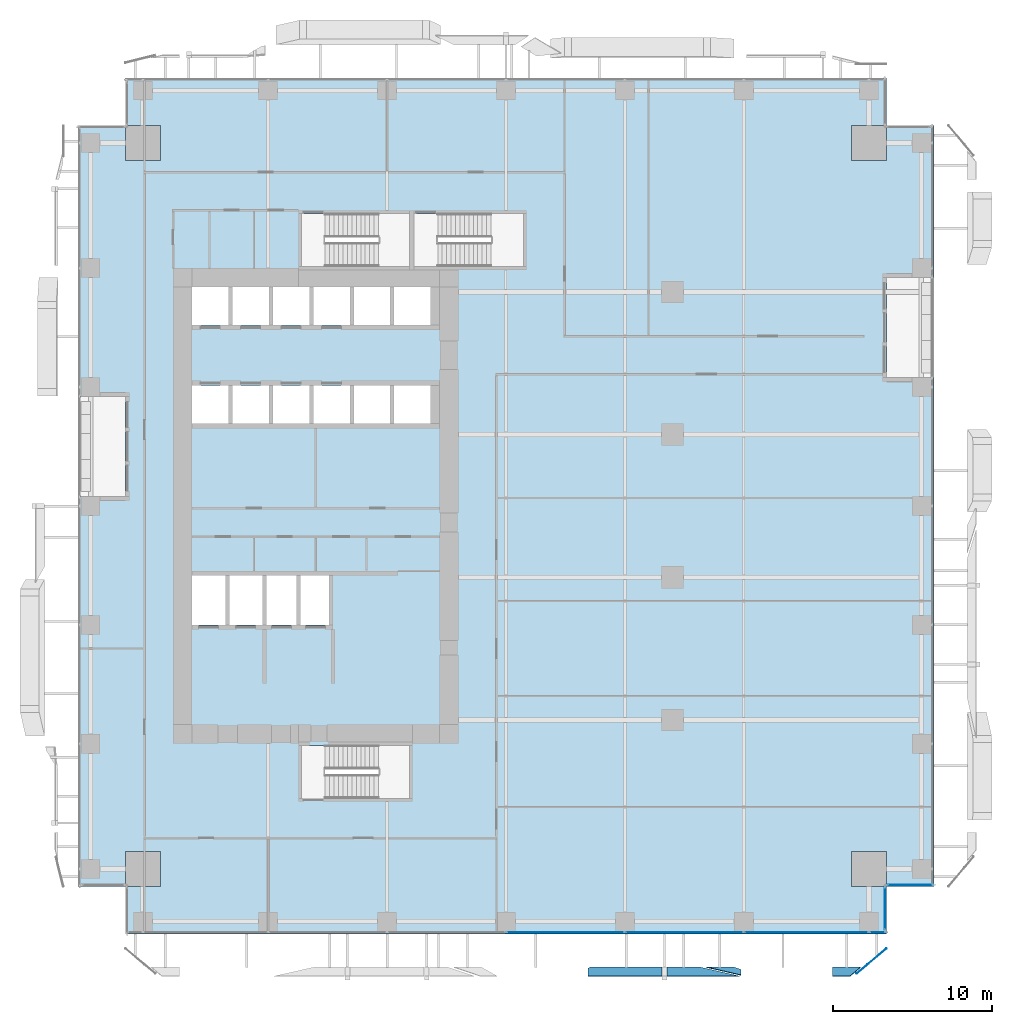
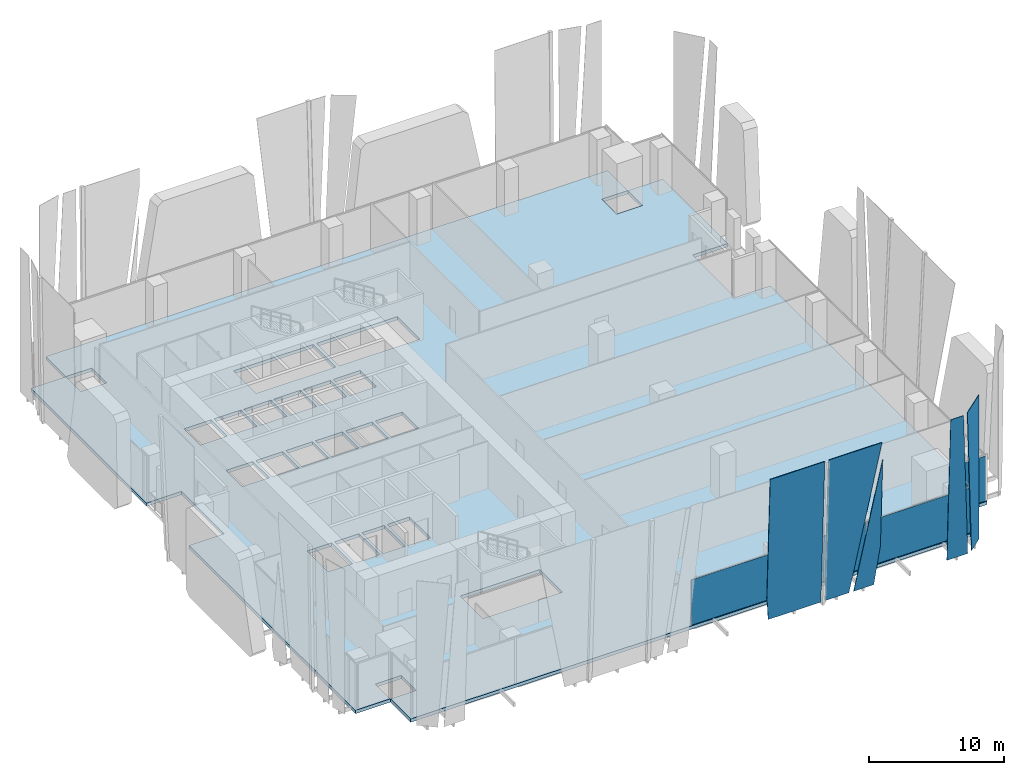
# One storey, part 25 of 37: 11 plates, 1 slab, 3 elements without a shape of their own.
"""IFC4 building model written with IfcOpenShell, lengths in metres."""

from ifc_helpers import new_model, si_unit, direction, frame, origin, origin_2d, place, context, subcontext, project, spatial, polyline, rectangle, outline, extrude, source, transform, mapped, material, layer, layer_set, type_object, element, aggregate, save


model = new_model("IFC4")

# Units and contexts
model_context = context("Model", 3, precision=1e-05, world=origin(), true_north=direction((0.0, 1.0)))
body_context = subcontext(model_context, "Body", "Model", "MODEL_VIEW")
ifc_project = project(units=[si_unit("LENGTHUNIT", "METRE"), si_unit("AREAUNIT", "SQUARE_METRE"), si_unit("VOLUMEUNIT", "CUBIC_METRE"), si_unit("PLANEANGLEUNIT", "RADIAN"), si_unit("MASSUNIT", "GRAM", prefix="KILO")], contexts=[model_context])

# Site, building, storey
site_placement = place(None, origin())
site = spatial("IfcSite", under=ifc_project, at=site_placement, CompositionType="ELEMENT")
building_placement = place(site_placement, origin())
building = spatial("IfcBuilding", under=site, at=building_placement, Name="Khomas Fold Tower", CompositionType="ELEMENT")
storey_placement = place(building_placement, frame((0.0, 0.0, 60.0)))
storey = spatial("IfcBuildingStorey", under=building, at=storey_placement, Name="L12", CompositionType="ELEMENT", Elevation=60.0)

# Plates
ifc_material_1 = material(Name="Clear laminated glass", Category="glass")
ifc_layer_1 = layer(ifc_material_1, 0.0400390625)
ifc_layer_set_1 = layer_set([ifc_layer_1], Name="Clear laminated glass")
plate_type_1 = type_object("IfcPlateType", Name="SK-Clear laminated glass leaf", PredefinedType="SHEET", material=ifc_layer_set_1)
plate_1_placement = place(storey_placement, frame((41.347412109375, -2.08251953125, 0.0), z_axis=(-6.444416e-06, 0.999042622985, 0.043747427562), x_axis=(-0.999999999979, -6.438246e-06, -2.81927e-07)))
element("IfcPlate", 1, at=plate_1_placement, inside=storey, type_object=plate_type_1, Name="OUTER SKIN glass L12 SG105-9", PredefinedType="SHEET", context=body_context, shape_type="SweptSolid", body=[
    extrude(outline(polyline([(0.0, 0.0), (1.7148437499643907, 9.078307222769479e-23), (-0.48266601563502265, 11.45163722607859), (-0.48266601570624096, 3.426864165754194), (0.0, 0.0)])), origin(), (0.0, 0.0, -1.0), 0.0400390625),
])
plate_2_placement = place(storey_placement, frame((32.328857421875, -2.08251953125, 0.0), z_axis=(1.6632899e-05, 0.999042346187, 0.043753745542), x_axis=(-0.07809136836, -0.043618832992, 0.995991533898)))
element("IfcPlate", 2, at=plate_2_placement, inside=storey, type_object=plate_type_1, Name="OUTER SKIN glass L12 SG104-10", PredefinedType="SHEET", context=body_context, shape_type="SweptSolid", body=[
    extrude(outline(polyline([(0.0, 0.0), (2.03525117752242, -2.7755575615628914e-17), (13.035079255438111, 0.8616228474387706), (12.671161277103064, 5.507547940835188), (-0.35150648399849505, 4.4874749029206695), (0.0, 0.0)])), origin(), (0.0, 0.0, -1.0), 0.0400390625),
])
plate_3_placement = place(storey_placement, frame((39.225341796875, -2.08251953125, 0.0), z_axis=(0.0, 0.99904235518, 0.043753543365), x_axis=(-1.0, 0.0, 0.0)))
element("IfcPlate", 3, at=plate_3_placement, inside=storey, type_object=plate_type_1, Name="OUTER SKIN glass L12 SG105-12", PredefinedType="SHEET", context=body_context, shape_type="SweptSolid", body=[
    extrude(outline(polyline([(0.0, 0.0), (2.055419921875, 0.0), (2.055419921875, 13.062558119247587), (-2.50634765625, 13.062558119247587), (0.0, 0.0)])), origin(), (0.0, 0.0, -1.0), 0.0400390625),
])
plate_4_placement = place(storey_placement, frame((49.380859375, -2.08251953125, 0.0), z_axis=(0.0, 0.99904235518, 0.043753543365), x_axis=(-1.0, 0.0, 0.0)))
element("IfcPlate", 4, at=plate_4_placement, inside=storey, type_object=plate_type_1, Name="OUTER SKIN glass L12 SG107-13", PredefinedType="SHEET", context=body_context, shape_type="SweptSolid", body=[
    extrude(outline(polyline([(0.0, 0.0), (1.78076171875, 0.0), (1.78076171875, 13.062558119247585), (0.68603515625, 13.062558119247585), (0.0, 0.0)])), origin(), (0.0, 0.0, -1.0), 0.0400390625),
])
plate_5_placement = place(storey_placement, frame((49.78125, -1.91552734375, 0.0), z_axis=(-0.640190306177, 0.768216357464, 9.34679e-07), x_axis=(-0.052428906534, -0.043692652337, 0.997668362679)))
element("IfcPlate", 5, at=plate_5_placement, inside=storey, type_object=plate_type_1, Name="OUTER SKIN glass L12 SG107-14", PredefinedType="SHEET", context=body_context, shape_type="SweptSolid", body=[
    extrude(outline(polyline([(0.0, 0.0), (13.080547921845024, 0.0), (12.911347767373046, 2.4734023024010394), (-0.10827307986849316, 1.5827579231051128), (0.0, 0.0)])), origin(), (0.0, 0.0, -1.0), 0.0400390625),
])

# Slab
ifc_material_2 = material(Name="Concrete C40/50", Category="concrete")
ifc_layer_2 = layer(ifc_material_2, 0.300048828125)
ifc_layer_set_2 = layer_set([ifc_layer_2], Name="Concrete C40/50")
slab_type = type_object("IfcSlabType", Name="RC floor slab 300", PredefinedType="FLOOR", material=ifc_layer_set_2)
shared_shape_1 = source(origin(), body_context, "Body", "SweptSolid", [
    extrude(outline(polyline([(0.0, 3.0), (2.9951171875, 3.0), (2.9951171875, 5.205078125), (5.205078125, 5.205078125), (5.205078125, 2.9951171875), (3.0, 2.9951171875), (3.0, 0.0), (51.0, 0.0), (51.0, 2.9951171875), (48.794921875, 2.9951171875), (48.794921875, 5.205078125), (51.0048828125, 5.205078125), (51.0048828125, 3.0), (54.0, 3.0), (54.0, 35.10009765625), (51.0, 35.10009765625), (51.0, 41.39990234375), (54.0, 41.39990234375), (54.0, 51.0), (51.0048828125, 51.0), (51.0048828125, 48.794921875), (48.794921875, 48.794921875), (48.794921875, 51.0048828125), (51.0, 51.0048828125), (51.0, 54.0), (3.0, 54.0), (3.0, 51.0048828125), (5.205078125, 51.0048828125), (5.205078125, 48.794921875), (2.9951171875, 48.794921875), (2.9951171875, 51.0), (0.0, 51.0), (0.0, 33.89990234375), (3.0, 33.89990234375), (3.0, 27.60009765625), (0.0, 27.60009765625), (0.0, 3.0)]), holes=[polyline([(7.199951171875, 19.5), (7.199951171875, 22.60009765625), (9.300048828125, 22.60009765625), (9.300048828125, 19.5), (7.199951171875, 19.5)]), polyline([(7.199951171875, 32.199951171875), (7.199951171875, 34.60009765625), (9.5, 34.60009765625), (9.5, 32.199951171875), (7.199951171875, 32.199951171875)]), polyline([(7.199951171875, 38.39990234375), (7.199951171875, 40.800048828125), (9.5, 40.800048828125), (9.5, 38.39990234375), (7.199951171875, 38.39990234375)]), polyline([(9.550048828125, 19.5), (9.550048828125, 22.60009765625), (11.64990234375, 22.60009765625), (11.64990234375, 19.5), (9.550048828125, 19.5)]), polyline([(9.75, 32.199951171875), (9.75, 34.60009765625), (12.050048828125, 34.60009765625), (12.050048828125, 32.199951171875), (9.75, 32.199951171875)]), polyline([(9.75, 38.39990234375), (9.75, 40.800048828125), (12.050048828125, 40.800048828125), (12.050048828125, 38.39990234375), (9.75, 38.39990234375)]), polyline([(11.89990234375, 19.5), (11.89990234375, 22.60009765625), (13.800048828125, 22.60009765625), (13.800048828125, 19.5), (11.89990234375, 19.5)]), polyline([(12.300048828125, 32.199951171875), (12.300048828125, 34.60009765625), (14.60009765625, 34.60009765625), (14.60009765625, 32.199951171875), (12.300048828125, 32.199951171875)]), polyline([(12.300048828125, 38.39990234375), (12.300048828125, 40.800048828125), (14.60009765625, 40.800048828125), (14.60009765625, 38.39990234375), (12.300048828125, 38.39990234375)]), polyline([(14.050048828125, 19.5), (14.050048828125, 22.60009765625), (15.949951171875, 22.60009765625), (15.949951171875, 19.5), (14.050048828125, 19.5)]), polyline([(14.10009765625, 8.550048828125), (14.10009765625, 11.89990234375), (20.89990234375, 11.89990234375), (20.89990234375, 8.550048828125), (14.10009765625, 8.550048828125)]), polyline([(14.10009765625, 42.10009765625), (14.10009765625, 45.449951171875), (20.89990234375, 45.449951171875), (20.89990234375, 42.10009765625), (14.10009765625, 42.10009765625)]), polyline([(14.85009765625, 32.199951171875), (14.85009765625, 34.60009765625), (17.14990234375, 34.60009765625), (17.14990234375, 32.199951171875), (14.85009765625, 32.199951171875)]), polyline([(14.85009765625, 38.39990234375), (14.85009765625, 40.800048828125), (17.14990234375, 40.800048828125), (17.14990234375, 38.39990234375), (14.85009765625, 38.39990234375)]), polyline([(17.39990234375, 32.199951171875), (17.39990234375, 34.60009765625), (19.699951171875, 34.60009765625), (19.699951171875, 32.199951171875), (17.39990234375, 32.199951171875)]), polyline([(17.39990234375, 38.39990234375), (17.39990234375, 40.800048828125), (19.699951171875, 40.800048828125), (19.699951171875, 38.39990234375), (17.39990234375, 38.39990234375)]), polyline([(19.949951171875, 32.199951171875), (19.949951171875, 34.60009765625), (22.25, 34.60009765625), (22.25, 32.199951171875), (19.949951171875, 32.199951171875)]), polyline([(19.949951171875, 38.39990234375), (19.949951171875, 40.800048828125), (22.25, 40.800048828125), (22.25, 38.39990234375), (19.949951171875, 38.39990234375)]), polyline([(21.199951171875, 42.10009765625), (21.199951171875, 45.449951171875), (28.10009765625, 45.449951171875), (28.10009765625, 42.10009765625), (21.199951171875, 42.10009765625)])]), origin(), (0.0, 0.0, 1.0), 0.300048828125),
])
slab_placement = place(storey_placement, frame((0.0, 0.0, -0.300048828125)))
element("IfcSlab", 6, at=slab_placement, inside=storey, type_object=slab_type, Name="S-L12", PredefinedType="FLOOR", context=body_context, shape_type="MappedRepresentation", body=[
    mapped(shared_shape_1, transform((0.0, 0.0, 0.0))),
])

# Curtain wall, plates
ifc_material_3 = material(Name="Aluminium framed double glazing", Category="aluminium")
curtain_wall_type = type_object("IfcCurtainWallType", Name="SK-Unitised clear-glass wall, growing floors CW1", PredefinedType="NOTDEFINED", material=ifc_material_3)
curtain_wall_1_placement = place(storey_placement, origin())
curtain_wall_1 = element("IfcCurtainWall", 7, at=curtain_wall_1_placement, inside=storey, type_object=curtain_wall_type, Name="CW1 run L12 00-0", PredefinedType="NOTDEFINED")
ifc_material_4 = material(Name="Clear double glazed unit")
ifc_layer_3 = layer(ifc_material_4, 0.031982421875)
ifc_layer_set_3 = layer_set([ifc_layer_3], Name="Clear double glazed unit")
plate_type_2 = type_object("IfcPlateType", Name="SK-Unitised clear-glass wall, growing floors glass panel CW1-P", PredefinedType="CURTAIN_PANEL", material=ifc_layer_set_3)
shared_shape_2 = source(origin(), body_context, "Body", "SweptSolid", [
    extrude(rectangle(XDim=7.840087890625, YDim=0.031982421875, at=origin_2d()), origin(), (0.0, 0.0, 1.0), 4.080078125),
])
plate_6_placement = place(storey_placement, frame((45.949951171875, 0.10009765625, 0.0), z_axis=(0.0, 0.0, 1.0), x_axis=(1.0, 0.0, 0.0)))
plate_6 = element("IfcPlate", 8, at=plate_6_placement, type_object=plate_type_2, Name="CW1 glass panel 7", PredefinedType="CURTAIN_PANEL", context=body_context, shape_type="MappedRepresentation", body=[
    mapped(shared_shape_2, transform((0.0, 0.0, 0.0))),
])
shared_shape_3 = source(origin(), body_context, "Body", "SweptSolid", [
    extrude(rectangle(XDim=7.43994140625, YDim=0.031982421875, at=origin_2d()), origin(), (0.0, 0.0, 1.0), 4.080078125),
])
plate_7_placement = place(storey_placement, frame((30.75, 0.10009765625, 0.0), z_axis=(0.0, 0.0, 1.0), x_axis=(1.0, 0.0, 0.0)))
plate_7 = element("IfcPlate", 9, at=plate_7_placement, type_object=plate_type_2, Name="CW1 glass panel 5", PredefinedType="CURTAIN_PANEL", context=body_context, shape_type="MappedRepresentation", body=[
    mapped(shared_shape_3, transform((0.0, 0.0, 0.0))),
])
plate_8_placement = place(storey_placement, frame((38.25, 0.10009765625, 0.0), z_axis=(0.0, 0.0, 1.0), x_axis=(1.0, 0.0, 0.0)))
plate_8 = element("IfcPlate", 10, at=plate_8_placement, type_object=plate_type_2, Name="CW1 glass panel 6", PredefinedType="CURTAIN_PANEL", context=body_context, shape_type="MappedRepresentation", body=[
    mapped(shared_shape_3, transform((0.0, 0.0, 0.0))),
])
shared_shape_4 = source(origin(), body_context, "Body", "SweptSolid", [
    extrude(rectangle(XDim=1.010009765625, YDim=0.031982421875, at=origin_2d()), origin(), (0.0, 0.0, 1.0), 4.080078125),
])
plate_9_placement = place(storey_placement, frame((50.43505859375, 0.10009765625, 0.0), z_axis=(0.0, 0.0, 1.0), x_axis=(1.0, 0.0, 0.0)))
plate_9 = element("IfcPlate", 11, at=plate_9_placement, type_object=plate_type_2, Name="CW1 glass panel 8", PredefinedType="CURTAIN_PANEL", context=body_context, shape_type="MappedRepresentation", body=[
    mapped(shared_shape_4, transform((0.0, 0.0, 0.0))),
])
aggregate(curtain_wall_1, [plate_7, plate_8, plate_6, plate_9])

# Curtain wall, plate
curtain_wall_2_placement = place(storey_placement, origin())
curtain_wall_2 = element("IfcCurtainWall", 12, at=curtain_wall_2_placement, inside=storey, type_object=curtain_wall_type, Name="CW1 corner return L12 01", PredefinedType="NOTDEFINED")
shared_shape_5 = source(origin(), body_context, "Body", "SweptSolid", [
    extrude(rectangle(XDim=2.679931640625, YDim=0.031982421875, at=origin_2d()), origin(), (0.0, 0.0, 1.0), 4.080078125),
])
plate_10_placement = place(storey_placement, frame((50.89990234375, 1.60009765625, 0.0), z_axis=(0.0, 0.0, 1.0), x_axis=(0.0, 1.0, 0.0)))
plate_10 = element("IfcPlate", 13, at=plate_10_placement, type_object=plate_type_2, Name="CW1 glass panel 1", PredefinedType="CURTAIN_PANEL", context=body_context, shape_type="MappedRepresentation", body=[
    mapped(shared_shape_5, transform((0.0, 0.0, 0.0))),
])
aggregate(curtain_wall_2, [plate_10])

curtain_wall_3_placement = place(storey_placement, origin())
curtain_wall_3 = element("IfcCurtainWall", 14, at=curtain_wall_3_placement, inside=storey, type_object=curtain_wall_type, Name="CW1 corner return L12 02", PredefinedType="NOTDEFINED")
shared_shape_6 = source(origin(), body_context, "Body", "SweptSolid", [
    extrude(rectangle(XDim=2.8798828125, YDim=0.031982421875, at=origin_2d()), origin(), (0.0, 0.0, 1.0), 4.080078125),
])
plate_11_placement = place(storey_placement, frame((52.5, 3.10009765625, 0.0), z_axis=(0.0, 0.0, 1.0), x_axis=(1.0, 0.0, 0.0)))
plate_11 = element("IfcPlate", 15, at=plate_11_placement, type_object=plate_type_2, Name="CW1 glass panel 1", PredefinedType="CURTAIN_PANEL", context=body_context, shape_type="MappedRepresentation", body=[
    mapped(shared_shape_6, transform((0.0, 0.0, 0.0))),
])
aggregate(curtain_wall_3, [plate_11])

save(model, "model.ifc")
